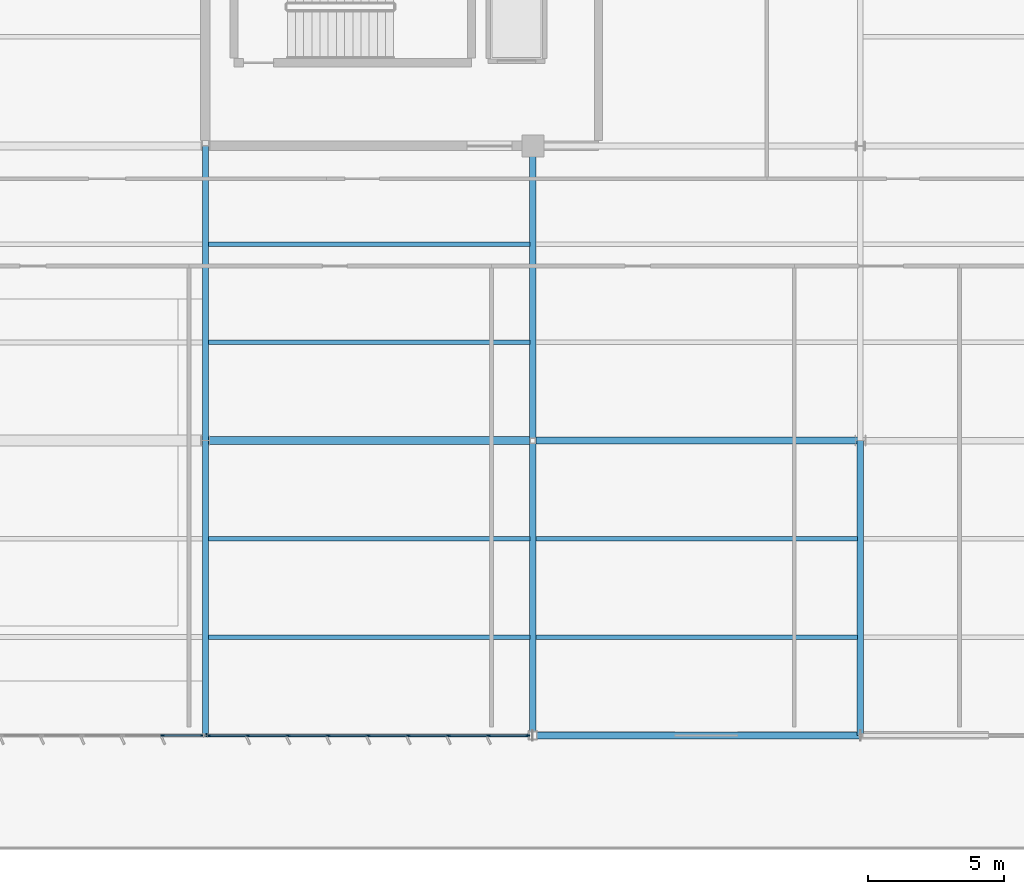
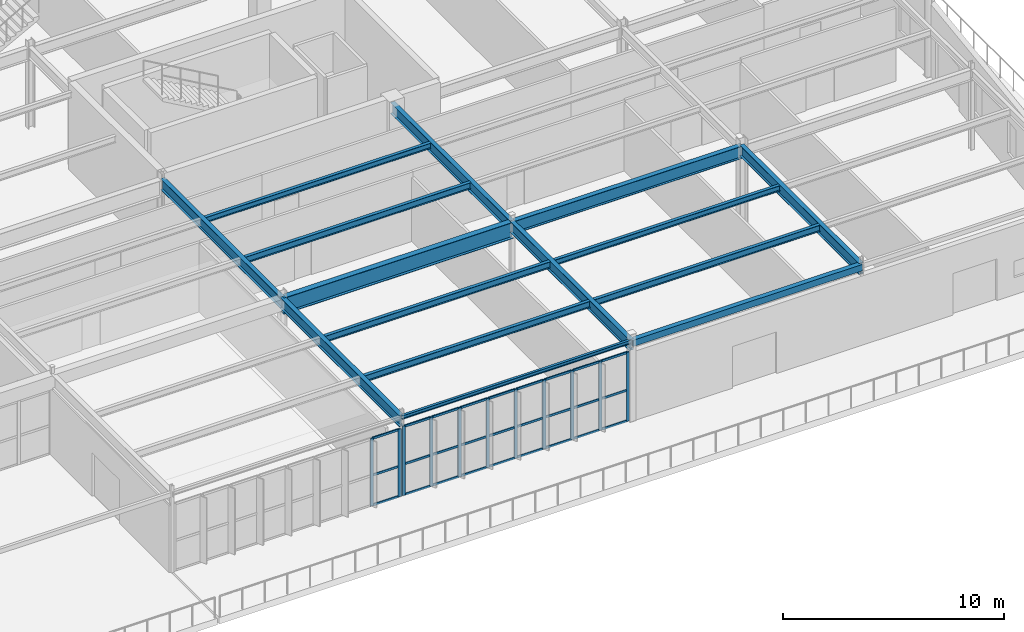
# One storey, part 90 of 199: 38 members, 15 beams, 2 elements without a shape of their own.
"""IFC4 building model written with IfcOpenShell, lengths in metres."""

import ifcopenshell
import ifcopenshell.guid

model = None  # the IFC model being written
_history = None  # IfcOwnerHistory: only IFC2X3 demands one
_inside = {}  # id of a spatial element -> (the spatial element, [elements in it])
_under = {}  # id of a project, library or spatial element -> (it, [spatial elements below it])
_declared = {}  # id of a project -> (the project, [libraries it declares])
_typed = {}  # id of a type object -> (the type object, [elements of that type])
_made_of = {}  # id of a material, layer set ... -> (it, [elements and type objects made of it])


def new_model(schema):
    """Start an empty IFC model of exactly this schema.

    Asked for "IFC4X3", IfcOpenShell would pick the latest addendum, in which some entities
    have other attributes; the version numbers below select the first issue.
    IFC2X3 requires an IfcOwnerHistory on every rooted entity: one is made here for all.
    """
    global model, _history
    if schema == "IFC4X3":
        model = ifcopenshell.file(schema_version=(4, 3, 0, 0))
    else:
        model = ifcopenshell.file(schema=schema)
    _inside.clear()
    _under.clear()
    _declared.clear()
    _typed.clear()
    _made_of.clear()
    _history = None
    if model.schema == "IFC2X3":
        org = make("IfcOrganization", Name="unknown")
        user = make(
            "IfcPersonAndOrganization",
            ThePerson=make("IfcPerson", FamilyName="unknown"),
            TheOrganization=org,
        )
        app = make(
            "IfcApplication",
            ApplicationDeveloper=org,
            Version="unknown",
            ApplicationFullName="unknown",
            ApplicationIdentifier="unknown",
        )
        _history = make(
            "IfcOwnerHistory",
            OwningUser=user,
            OwningApplication=app,
            ChangeAction="ADDED",
            CreationDate=0,
        )
    return model


def make(cls, **values):
    """One entity of the class cls with the attributes given. An attribute that is None is left unset."""
    return model.create_entity(
        cls, **{name: value for name, value in values.items() if value is not None}
    )


def rooted(cls, **values):
    """An entity with a GlobalId (a new one), such as an element, a storey or a relation."""
    return make(cls, GlobalId=ifcopenshell.guid.new(), OwnerHistory=_history, **values)


def si_unit(unit_type, name, prefix=None):
    """IfcSIUnit, for example si_unit("LENGTHUNIT", "METRE", prefix="MILLI")."""
    return make("IfcSIUnit", UnitType=unit_type, Prefix=prefix, Name=name)


def assignment(units):
    """IfcUnitAssignment: the units of a project."""
    return None if units is None else make("IfcUnitAssignment", Units=units)


def point(xyz):
    """IfcCartesianPoint."""
    return None if xyz is None else make("IfcCartesianPoint", Coordinates=xyz)


def direction(xyz):
    """IfcDirection."""
    return None if xyz is None else make("IfcDirection", DirectionRatios=xyz)


def frame(location, z_axis=None, x_axis=None):
    """IfcAxis2Placement3D, a coordinate frame: its origin and axes. An axis left out is left unset."""
    return make(
        "IfcAxis2Placement3D",
        Location=point(location),
        Axis=direction(z_axis),
        RefDirection=direction(x_axis),
    )


def frame_2d(location, x_axis=None):
    """IfcAxis2Placement2D, a coordinate frame in the plane: its origin and x axis."""
    return make(
        "IfcAxis2Placement2D", Location=point(location), RefDirection=direction(x_axis)
    )


def origin():
    """The frame at (0, 0, 0) with its axes left unset."""
    return frame((0.0, 0.0, 0.0))


def origin_2d():
    """The frame at (0, 0) in the plane with its x axis left unset."""
    return frame_2d((0.0, 0.0))


def place(relative_to, where):
    """IfcLocalPlacement: puts the frame where relative to a parent placement (None: the world)."""
    return make(
        "IfcLocalPlacement", PlacementRelTo=relative_to, RelativePlacement=where
    )


def context(
    kind, dimensions, precision=None, world=None, true_north=None, identifier=None
):
    """IfcGeometricRepresentationContext, for example the 3D "Model" context."""
    return make(
        "IfcGeometricRepresentationContext",
        ContextIdentifier=identifier,
        ContextType=kind,
        CoordinateSpaceDimension=dimensions,
        Precision=precision,
        WorldCoordinateSystem=world,
        TrueNorth=true_north,
    )


def subcontext(parent, identifier, kind, view, scale=None):
    """IfcGeometricRepresentationSubContext, for example "Body" below "Model"."""
    return make(
        "IfcGeometricRepresentationSubContext",
        ContextIdentifier=identifier,
        ContextType=kind,
        ParentContext=parent,
        TargetScale=scale,
        TargetView=view,
    )


def project(units=None, contexts=None):
    """IfcProject with its units and contexts."""
    return rooted(
        "IfcProject",
        Name="project",
        RepresentationContexts=contexts,
        UnitsInContext=assignment(units),
    )


def spatial(cls, under=None, at=None, **own):
    """A site, building, storey or space (cls), placed at a placement, below another one or the project."""
    s = rooted(cls, ObjectPlacement=at, **own)
    if under is not None:
        _under.setdefault(under.id(), (under, []))[1].append(s)
    return s


def profile(cls, at=None, kind="AREA", **sizes):
    """A parametric profile (cls). Its sizes go by their IFC names, for example OverallWidth=200.0."""
    return make(cls, ProfileType=kind, Position=at, **sizes)


def rectangle(**sizes):
    """IfcRectangleProfileDef."""
    return profile("IfcRectangleProfileDef", **sizes)


def hollow_rectangle(**sizes):
    """IfcRectangleHollowProfileDef."""
    return profile("IfcRectangleHollowProfileDef", **sizes)


def i_section(**sizes):
    """IfcIShapeProfileDef."""
    return profile("IfcIShapeProfileDef", **sizes)


def extrude(swept, where, along, depth):
    """IfcExtrudedAreaSolid: the profile swept, set in the frame where, extruded along a direction by depth."""
    return make(
        "IfcExtrudedAreaSolid",
        SweptArea=swept,
        Position=where,
        ExtrudedDirection=direction(along),
        Depth=depth,
    )


def shape(context_of_items, identifier, shape_type, items):
    """IfcShapeRepresentation: the items that make up one representation, for example the "Body"."""
    return make(
        "IfcShapeRepresentation",
        ContextOfItems=context_of_items,
        RepresentationIdentifier=identifier,
        RepresentationType=shape_type,
        Items=items,
    )


def material(Name=None, Category=None):
    """IfcMaterial."""
    return make("IfcMaterial", Name=Name, Category=Category)


def layer(
    of_material, thickness, ventilated=None, Name=None, Category=None, Priority=None
):
    """IfcMaterialLayer: one layer of a wall or slab, of a material (None: an air gap)."""
    return make(
        "IfcMaterialLayer",
        Material=of_material,
        LayerThickness=thickness,
        IsVentilated=ventilated,
        Name=Name,
        Category=Category,
        Priority=Priority,
    )


def layer_set(layers, Name=None):
    """IfcMaterialLayerSet."""
    return make("IfcMaterialLayerSet", MaterialLayers=layers, LayerSetName=Name)


def material_profile(
    of_material, cross_section, Name=None, Category=None, Priority=None
):
    """IfcMaterialProfile: a cross section and its material."""
    return make(
        "IfcMaterialProfile",
        Name=Name,
        Material=of_material,
        Profile=cross_section,
        Priority=Priority,
        Category=Category,
    )


def profile_set(profiles, Name=None, composite=None):
    """IfcMaterialProfileSet."""
    return make(
        "IfcMaterialProfileSet",
        Name=Name,
        MaterialProfiles=profiles,
        CompositeProfile=composite,
    )


def made_of(thing, what):
    """Note that an element or type object is made of a material, layer set ...; save() writes the relation."""
    if what is not None:
        _made_of.setdefault(what.id(), (what, []))[1].append(thing)
    return thing


def type_object(cls, material=None, **own):
    """A type object (cls), such as IfcWallType, which elements share."""
    return made_of(rooted(cls, **own), material)


def element(
    cls,
    number,
    at=None,
    inside=None,
    cuts=None,
    type_object=None,
    material=None,
    context=None,
    identifier="Body",
    shape_type=None,
    held_by="IfcProductDefinitionShape",
    body=None,
    shapes=None,
    **own,
):
    """One element of the class cls, such as IfcWall. Its Tag is "e" and its number.

    at: its placement. inside: the storey or other place that contains it. cuts: it is an
    opening in that element (IfcRelVoidsElement). A single representation is given by context,
    identifier, shape_type and body (its items); several are given by shapes. held_by: the class
    of the entity that holds the representations. save() writes the other relations.
    """
    e = rooted(cls, Tag="e%d" % number, ObjectPlacement=at, **own)
    if body is not None:
        shapes = [shape(context, identifier, shape_type, body)]
    if shapes is not None:
        e.Representation = make(held_by, Representations=shapes)
    if inside is not None:
        _inside.setdefault(inside.id(), (inside, []))[1].append(e)
    if cuts is not None:
        rooted(
            "IfcRelVoidsElement", RelatingBuildingElement=cuts, RelatedOpeningElement=e
        )
    if type_object is not None:
        _typed.setdefault(type_object.id(), (type_object, []))[1].append(e)
    return made_of(e, material)


def aggregate(whole, parts):
    """IfcRelAggregates: a whole, such as a stair, and the parts it consists of."""
    return rooted("IfcRelAggregates", RelatingObject=whole, RelatedObjects=parts)


def save(model, path):
    """Write the relations noted so far, then the file.

    IfcRelAggregates (storeys below a building ...), IfcRelContainedInSpatialStructure (elements
    in a storey), IfcRelDefinesByType, IfcRelAssociatesMaterial and IfcRelDeclares: one each for
    every whole, place, type object, material and project.
    """
    for whole, parts in _under.values():
        aggregate(whole, parts)
    for where, things in _inside.values():
        rooted(
            "IfcRelContainedInSpatialStructure",
            RelatedElements=things,
            RelatingStructure=where,
        )
    for kind, things in _typed.values():
        rooted("IfcRelDefinesByType", RelatedObjects=things, RelatingType=kind)
    for what, things in _made_of.values():
        rooted("IfcRelAssociatesMaterial", RelatedObjects=things, RelatingMaterial=what)
    for by, libraries in _declared.values():
        rooted("IfcRelDeclares", RelatingContext=by, RelatedDefinitions=libraries)
    model.write(path)


model = new_model("IFC4")

# Units and contexts
model_context = context("Model", 3, precision=1e-05, world=origin(), true_north=direction((0.0, 1.0)))
body_context = subcontext(model_context, "Body", "Model", "MODEL_VIEW")
ifc_project = project(units=[si_unit("LENGTHUNIT", "METRE"), si_unit("AREAUNIT", "SQUARE_METRE"), si_unit("VOLUMEUNIT", "CUBIC_METRE"), si_unit("PLANEANGLEUNIT", "RADIAN"), si_unit("MASSUNIT", "GRAM", prefix="KILO")], contexts=[model_context])

# Site, building, storey
site_placement = place(None, origin())
site = spatial("IfcSite", under=ifc_project, at=site_placement, CompositionType="ELEMENT")
building_placement = place(site_placement, origin())
building = spatial("IfcBuilding", under=site, at=building_placement, Name="Tarnwether General Hospital", CompositionType="ELEMENT")
storey_placement = place(building_placement, origin())
storey = spatial("IfcBuildingStorey", under=building, at=storey_placement, Name="L00", CompositionType="ELEMENT", Elevation=0.0)

# Beams
ifc_material_1 = material(Name="Steel Grade 350 (350 MPa)", Category="steel")
ifc_material_profile_1 = material_profile(ifc_material_1, i_section(OverallWidth=0.300048828125, OverallDepth=0.89990234375, WebThickness=0.011962890625, FlangeThickness=0.02001953125, at=origin_2d()), Name="900WB175")
ifc_profile_set_1 = profile_set([ifc_material_profile_1], Name="Steel Grade 350 (350 MPa)")
beam_type_1 = type_object("IfcBeamType", Name="BM-G01", PredefinedType="BEAM", material=ifc_profile_set_1)
beam_1_placement = place(storey_placement, frame((156.0, 10.800048828125, 3.9951171875), z_axis=(1.0, 0.0, 0.0), x_axis=(0.0, 1.0, 0.0)))
element("IfcBeam", 1, at=beam_1_placement, inside=storey, type_object=beam_type_1, Name="Primary Girder BMG-L00-15600_1080-16800_1080-0807", PredefinedType="BEAM", context=body_context, shape_type="SweptSolid", body=[
    extrude(i_section(OverallWidth=0.300048828125, OverallDepth=0.89990234375, WebThickness=0.011962890625, FlangeThickness=0.02001953125, at=origin_2d()), origin(), (0.0, 0.0, 1.0), 12.0),
])
ifc_material_2 = material(Name="Steel Grade 350 (350 MPa)", Category="steel")
ifc_material_profile_2 = material_profile(ifc_material_2, i_section(OverallWidth=0.25, OverallDepth=0.69189453125, WebThickness=0.009033203125, FlangeThickness=0.01611328125, at=origin_2d()), Name="700WB115")
ifc_profile_set_2 = profile_set([ifc_material_profile_2], Name="Steel Grade 350 (350 MPa)")
beam_type_2 = type_object("IfcBeamType", Name="BM-G02", PredefinedType="BEAM", material=ifc_profile_set_2)
beam_2_placement = place(storey_placement, frame((168.0, 10.800048828125, 4.09912109375), z_axis=(1.0, 0.0, 0.0), x_axis=(0.0, 1.0, 0.0)))
element("IfcBeam", 2, at=beam_2_placement, inside=storey, type_object=beam_type_2, Name="Primary Girder BMG-L00-16800_1080-18000_1080-0823", PredefinedType="BEAM", context=body_context, shape_type="SweptSolid", body=[
    extrude(i_section(OverallWidth=0.25, OverallDepth=0.69189453125, WebThickness=0.009033203125, FlangeThickness=0.01611328125, at=origin_2d()), origin(), (0.0, 0.0, 1.0), 12.0),
])
ifc_material_3 = material(Name="Steel Grade 350 (350 MPa)", Category="steel")
ifc_material_profile_3 = material_profile(ifc_material_3, i_section(OverallWidth=0.22900390625, OverallDepth=0.612060546875, WebThickness=0.011962890625, FlangeThickness=0.01953125, at=origin_2d()), Name="610UB125")
ifc_profile_set_3 = profile_set([ifc_material_profile_3], Name="Steel Grade 350 (350 MPa)")
beam_type_3 = type_object("IfcBeamType", Name="BM-G03", PredefinedType="BEAM", material=ifc_profile_set_3)
beam_3_placement = place(storey_placement, frame((156.0, 0.0, 4.138916015625), z_axis=(0.0, 1.0, 0.0), x_axis=(-1.0, 0.0, 0.0)))
element("IfcBeam", 3, at=beam_3_placement, inside=storey, type_object=beam_type_3, Name="Primary Girder BMG-L00-15600_0-15600_1080-0806", PredefinedType="BEAM", context=body_context, shape_type="SweptSolid", body=[
    extrude(i_section(OverallWidth=0.22900390625, OverallDepth=0.612060546875, WebThickness=0.011962890625, FlangeThickness=0.01953125, at=origin_2d()), origin(), (0.0, 0.0, 1.0), 10.800048828125),
])
ifc_material_4 = material(Name="Steel Grade 350 (350 MPa)", Category="steel")
ifc_material_profile_4 = material_profile(ifc_material_4, i_section(OverallWidth=0.22802734375, OverallDepth=0.60693359375, WebThickness=0.01123046875, FlangeThickness=0.017333984375, at=origin_2d()), Name="610UB113")
ifc_profile_set_4 = profile_set([ifc_material_profile_4], Name="Steel Grade 350 (350 MPa)")
beam_type_4 = type_object("IfcBeamType", Name="BM-G04", PredefinedType="BEAM", material=ifc_profile_set_4)
for number, where, z_axis, x_axis, name in (
    (4, (156.0, 10.800048828125, 4.1416015625), (0.0, 1.0, 0.0), (-1.0, 0.0, 0.0), "Primary Girder BMG-L00-15600_1080-15600_2160-0808"),
    (5, (168.0, 0.0, 4.1416015625), (0.0, 1.0, 0.0), (-1.0, 0.0, 0.0), "Primary Girder BMG-L00-16800_0-16800_1080-0822"),
):
    element("IfcBeam", number, at=place(storey_placement, frame(where, z_axis=z_axis, x_axis=x_axis)), inside=storey, type_object=beam_type_4, Name=name, PredefinedType="BEAM", context=body_context, shape_type="SweptSolid", body=[
        extrude(i_section(OverallWidth=0.22802734375, OverallDepth=0.60693359375, WebThickness=0.01123046875, FlangeThickness=0.017333984375, at=origin_2d()), origin(), (0.0, 0.0, 1.0), 10.800048828125),
    ])
ifc_material_5 = material(Name="Steel Grade 350 (350 MPa)", Category="steel")
ifc_material_profile_5 = material_profile(ifc_material_5, i_section(OverallWidth=0.22802734375, OverallDepth=0.60205078125, WebThickness=0.010498046875, FlangeThickness=0.014892578125, at=origin_2d()), Name="610UB101")
ifc_profile_set_5 = profile_set([ifc_material_profile_5], Name="Steel Grade 350 (350 MPa)")
beam_type_5 = type_object("IfcBeamType", Name="BM-G05", PredefinedType="BEAM", material=ifc_profile_set_5)
for number, where, z_axis, x_axis, name in (
    (6, (168.0, 10.800048828125, 4.14404296875), (0.0, 1.0, 0.0), (-1.0, 0.0, 0.0), "Primary Girder BMG-L00-16800_1080-16800_2160-0824"),
    (7, (180.0, 0.0, 4.14404296875), (0.0, 1.0, 0.0), (-1.0, 0.0, 0.0), "Primary Girder BMG-L00-18000_0-18000_1080-0838"),
):
    element("IfcBeam", number, at=place(storey_placement, frame(where, z_axis=z_axis, x_axis=x_axis)), inside=storey, type_object=beam_type_5, Name=name, PredefinedType="BEAM", context=body_context, shape_type="SweptSolid", body=[
        extrude(i_section(OverallWidth=0.22802734375, OverallDepth=0.60205078125, WebThickness=0.010498046875, FlangeThickness=0.014892578125, at=origin_2d()), origin(), (0.0, 0.0, 1.0), 10.800048828125),
    ])
ifc_material_6 = material(Name="Steel Grade 350 (350 MPa)", Category="steel")
ifc_material_profile_6 = material_profile(ifc_material_6, i_section(OverallWidth=0.172119140625, OverallDepth=0.35888671875, WebThickness=0.008056640625, FlangeThickness=0.012939453125, at=origin_2d()), Name="360UB56.7")
ifc_profile_set_6 = profile_set([ifc_material_profile_6], Name="Steel Grade 350 (350 MPa)")
beam_type_6 = type_object("IfcBeamType", Name="BM-J03", PredefinedType="JOIST", material=ifc_profile_set_6)
beam_4_placement = place(storey_placement, frame((156.10791015625, 3.60009765625, 4.265380859375), z_axis=(1.0, 0.0, 0.0), x_axis=(0.0, 1.0, 0.0)))
element("IfcBeam", 8, at=beam_4_placement, inside=storey, type_object=beam_type_6, Name="Composite Floor Joist BMG-L00-15611_360-16789_360-1009", PredefinedType="JOIST", context=body_context, shape_type="SweptSolid", body=[
    extrude(i_section(OverallWidth=0.172119140625, OverallDepth=0.35888671875, WebThickness=0.008056640625, FlangeThickness=0.012939453125, at=origin_2d()), origin(), (0.0, 0.0, 1.0), 11.7841796875),
])
ifc_material_7 = material(Name="Steel Grade 350 (350 MPa)", Category="steel")
ifc_material_profile_7 = material_profile(ifc_material_7, i_section(OverallWidth=0.1708984375, OverallDepth=0.35595703125, WebThickness=0.00732421875, FlangeThickness=0.011474609375, at=origin_2d()), Name="360UB50.7")
ifc_profile_set_7 = profile_set([ifc_material_profile_7], Name="Steel Grade 350 (350 MPa)")
beam_type_7 = type_object("IfcBeamType", Name="BM-J04", PredefinedType="JOIST", material=ifc_profile_set_7)
for number, where, z_axis, x_axis, name in (
    (9, (156.10791015625, 7.199951171875, 4.26708984375), (1.0, 0.0, 0.0), (0.0, 1.0, 0.0), "Composite Floor Joist BMG-L00-15611_720-16789_720-1010"),
    (10, (156.10791015625, 14.39990234375, 4.26708984375), (1.0, 0.0, 0.0), (0.0, 1.0, 0.0), "Composite Floor Joist BMG-L00-15611_1440-16789_1440-1011"),
    (11, (168.10791015625, 3.60009765625, 4.26708984375), (1.0, 0.0, 0.0), (0.0, 1.0, 0.0), "Composite Floor Joist BMG-L00-16811_360-17989_360-1017"),
):
    element("IfcBeam", number, at=place(storey_placement, frame(where, z_axis=z_axis, x_axis=x_axis)), inside=storey, type_object=beam_type_7, Name=name, PredefinedType="JOIST", context=body_context, shape_type="SweptSolid", body=[
        extrude(i_section(OverallWidth=0.1708984375, OverallDepth=0.35595703125, WebThickness=0.00732421875, FlangeThickness=0.011474609375, at=origin_2d()), origin(), (0.0, 0.0, 1.0), 11.7841796875),
    ])
ifc_material_8 = material(Name="Steel Grade 350 (350 MPa)", Category="steel")
ifc_material_profile_8 = material_profile(ifc_material_8, i_section(OverallWidth=0.166015625, OverallDepth=0.306884765625, WebThickness=0.006591796875, FlangeThickness=0.01171875, at=origin_2d()), Name="310UB46.2")
ifc_profile_set_8 = profile_set([ifc_material_profile_8], Name="Steel Grade 350 (350 MPa)")
beam_type_8 = type_object("IfcBeamType", Name="BM-J05", PredefinedType="JOIST", material=ifc_profile_set_8)
for number, where, z_axis, x_axis, name in (
    (12, (156.10791015625, 18.0, 4.29150390625), (1.0, 0.0, 0.0), (0.0, 1.0, 0.0), "Composite Floor Joist BMG-L00-15611_1800-16789_1800-1012"),
    (13, (168.10791015625, 7.199951171875, 4.29150390625), (1.0, 0.0, 0.0), (0.0, 1.0, 0.0), "Composite Floor Joist BMG-L00-16811_720-17989_720-1018"),
):
    element("IfcBeam", number, at=place(storey_placement, frame(where, z_axis=z_axis, x_axis=x_axis)), inside=storey, type_object=beam_type_8, Name=name, PredefinedType="JOIST", context=body_context, shape_type="SweptSolid", body=[
        extrude(i_section(OverallWidth=0.166015625, OverallDepth=0.306884765625, WebThickness=0.006591796875, FlangeThickness=0.01171875, at=origin_2d()), origin(), (0.0, 0.0, 1.0), 11.7841796875),
    ])
ifc_material_9 = material(Name="Steel Grade 350 (350 MPa)", Category="steel")
ifc_material_profile_9 = material_profile(ifc_material_9, i_section(OverallWidth=0.133056640625, OverallDepth=0.201904296875, WebThickness=0.0048828125, FlangeThickness=0.007080078125, at=origin_2d()), Name="200UB22.3")
ifc_profile_set_9 = profile_set([ifc_material_profile_9], Name="Steel Grade 350 (350 MPa)")
beam_type_9 = type_object("IfcBeamType", Name="BM-SP6", PredefinedType="SPANDREL", material=ifc_profile_set_9)
beam_5_placement = place(storey_placement, frame((156.0, 0.0, 4.343994140625), z_axis=(1.0, 0.0, 0.0), x_axis=(0.0, 1.0, 0.0)))
element("IfcBeam", 14, at=beam_5_placement, inside=storey, type_object=beam_type_9, Name="Primary Girder BMG-L00-15600_0-16800_0-0805", PredefinedType="SPANDREL", context=body_context, shape_type="SweptSolid", body=[
    extrude(i_section(OverallWidth=0.133056640625, OverallDepth=0.201904296875, WebThickness=0.0048828125, FlangeThickness=0.007080078125, at=origin_2d()), origin(), (0.0, 0.0, 1.0), 12.0),
])
ifc_material_10 = material(Name="Steel Grade C350L0 (350 MPa)", Category="steel")
ifc_material_profile_10 = material_profile(ifc_material_10, hollow_rectangle(XDim=0.25, YDim=0.35009765625, WallThickness=0.012451171875, at=origin_2d()), Name="RHS350x250x12.5")
ifc_profile_set_10 = profile_set([ifc_material_profile_10], Name="Steel Grade C350L0 (350 MPa)")
beam_type_10 = type_object("IfcBeamType", Name="BM-SP7", PredefinedType="SPANDREL", material=ifc_profile_set_10)
beam_6_placement = place(storey_placement, frame((168.0, 0.0, 4.27001953125), z_axis=(1.0, 0.0, 0.0), x_axis=(0.0, 1.0, 0.0)))
element("IfcBeam", 15, at=beam_6_placement, inside=storey, type_object=beam_type_10, Name="Primary Girder BMG-L00-16800_0-18000_0-0821", PredefinedType="SPANDREL", context=body_context, shape_type="SweptSolid", body=[
    extrude(hollow_rectangle(XDim=0.25, YDim=0.35009765625, WallThickness=0.012451171875, at=origin_2d()), origin(), (0.0, 0.0, 1.0), 12.0),
])

# Curtain wall, members
ifc_material_11 = material(Name="Anodised aluminium", Category="aluminium")
ifc_layer = layer(ifc_material_11, 0.159912109375)
ifc_layer_set = layer_set([ifc_layer], Name="Anodised aluminium")
curtain_wall_type = type_object("IfcCurtainWallType", Name="CW-18", PredefinedType="NOTDEFINED", material=ifc_layer_set)
curtain_wall_1_placement = place(storey_placement, origin())
curtain_wall_1 = element("IfcCurtainWall", 16, at=curtain_wall_1_placement, inside=storey, type_object=curtain_wall_type, Name="Curtain Wall CWG-L00-1678_0-0284", PredefinedType="NOTDEFINED")
ifc_material_12 = material(Name="Anodised aluminium", Category="aluminium")
ifc_material_profile_11 = material_profile(ifc_material_12, rectangle(XDim=0.06005859375, YDim=0.159912109375, at=origin_2d()), Name="ALU-MUL-60x160")
ifc_profile_set_11 = profile_set([ifc_material_profile_11], Name="Anodised aluminium")
member_type_1 = type_object("IfcMemberType", Name="CW-ML1", PredefinedType="MULLION", material=ifc_profile_set_11)
member_1_placement = place(storey_placement, frame((167.81201171875, 0.0, 0.0), z_axis=(0.0, 0.0, 1.0), x_axis=(0.0, -1.0, 0.0)))
member_1 = element("IfcMember", 17, at=member_1_placement, type_object=member_type_1, Name="CW-18 mullion 1", PredefinedType="MULLION", context=body_context, shape_type="SweptSolid", body=[
    extrude(rectangle(XDim=0.06005859375, YDim=0.159912109375, at=origin_2d()), origin(), (0.0, 0.0, 1.0), 3.818115234375),
])
member_2_placement = place(storey_placement, frame((166.372314453125, 0.0, 0.0), z_axis=(0.0, 0.0, 1.0), x_axis=(0.0, -1.0, 0.0)))
member_2 = element("IfcMember", 18, at=member_2_placement, type_object=member_type_1, Name="CW-18 mullion 2", PredefinedType="MULLION", context=body_context, shape_type="SweptSolid", body=[
    extrude(rectangle(XDim=0.06005859375, YDim=0.159912109375, at=origin_2d()), origin(), (0.0, 0.0, 1.0), 3.818115234375),
])
member_3_placement = place(storey_placement, frame((164.902587890625, 0.0, 0.0), z_axis=(0.0, 0.0, 1.0), x_axis=(0.0, -1.0, 0.0)))
member_3 = element("IfcMember", 19, at=member_3_placement, type_object=member_type_1, Name="CW-18 mullion 3", PredefinedType="MULLION", context=body_context, shape_type="SweptSolid", body=[
    extrude(rectangle(XDim=0.06005859375, YDim=0.159912109375, at=origin_2d()), origin(), (0.0, 0.0, 1.0), 3.818115234375),
])
member_4_placement = place(storey_placement, frame((163.432861328125, 0.0, 0.0), z_axis=(0.0, 0.0, 1.0), x_axis=(0.0, -1.0, 0.0)))
member_4 = element("IfcMember", 20, at=member_4_placement, type_object=member_type_1, Name="CW-18 mullion 4", PredefinedType="MULLION", context=body_context, shape_type="SweptSolid", body=[
    extrude(rectangle(XDim=0.06005859375, YDim=0.159912109375, at=origin_2d()), origin(), (0.0, 0.0, 1.0), 3.818115234375),
])
member_5_placement = place(storey_placement, frame((161.962890625, 0.0, 0.0), z_axis=(0.0, 0.0, 1.0), x_axis=(0.0, -1.0, 0.0)))
member_5 = element("IfcMember", 21, at=member_5_placement, type_object=member_type_1, Name="CW-18 mullion 5", PredefinedType="MULLION", context=body_context, shape_type="SweptSolid", body=[
    extrude(rectangle(XDim=0.06005859375, YDim=0.159912109375, at=origin_2d()), origin(), (0.0, 0.0, 1.0), 3.818115234375),
])
member_6_placement = place(storey_placement, frame((160.4931640625, 0.0, 0.0), z_axis=(0.0, 0.0, 1.0), x_axis=(0.0, -1.0, 0.0)))
member_6 = element("IfcMember", 22, at=member_6_placement, type_object=member_type_1, Name="CW-18 mullion 6", PredefinedType="MULLION", context=body_context, shape_type="SweptSolid", body=[
    extrude(rectangle(XDim=0.06005859375, YDim=0.159912109375, at=origin_2d()), origin(), (0.0, 0.0, 1.0), 3.818115234375),
])
member_7_placement = place(storey_placement, frame((159.0234375, 0.0, 0.0), z_axis=(0.0, 0.0, 1.0), x_axis=(0.0, -1.0, 0.0)))
member_7 = element("IfcMember", 23, at=member_7_placement, type_object=member_type_1, Name="CW-18 mullion 7", PredefinedType="MULLION", context=body_context, shape_type="SweptSolid", body=[
    extrude(rectangle(XDim=0.06005859375, YDim=0.159912109375, at=origin_2d()), origin(), (0.0, 0.0, 1.0), 3.818115234375),
])
member_8_placement = place(storey_placement, frame((157.5537109375, 0.0, 0.0), z_axis=(0.0, 0.0, 1.0), x_axis=(0.0, -1.0, 0.0)))
member_8 = element("IfcMember", 24, at=member_8_placement, type_object=member_type_1, Name="CW-18 mullion 8", PredefinedType="MULLION", context=body_context, shape_type="SweptSolid", body=[
    extrude(rectangle(XDim=0.06005859375, YDim=0.159912109375, at=origin_2d()), origin(), (0.0, 0.0, 1.0), 3.818115234375),
])
member_9_placement = place(storey_placement, frame((156.114013671875, 0.0, 0.0), z_axis=(0.0, 0.0, 1.0), x_axis=(0.0, -1.0, 0.0)))
member_9 = element("IfcMember", 25, at=member_9_placement, type_object=member_type_1, Name="CW-18 mullion 9", PredefinedType="MULLION", context=body_context, shape_type="SweptSolid", body=[
    extrude(rectangle(XDim=0.06005859375, YDim=0.159912109375, at=origin_2d()), origin(), (0.0, 0.0, 1.0), 3.818115234375),
])

curtain_wall_2_placement = place(storey_placement, origin())
curtain_wall_2 = element("IfcCurtainWall", 26, at=curtain_wall_2_placement, inside=storey, type_object=curtain_wall_type, Name="Curtain Wall CWG-L00-1559_0-0285", PredefinedType="NOTDEFINED")
member_10_placement = place(storey_placement, frame((155.885986328125, 0.0, 0.0), z_axis=(0.0, 0.0, 1.0), x_axis=(0.0, -1.0, 0.0)))
member_10 = element("IfcMember", 27, at=member_10_placement, type_object=member_type_1, Name="CW-18 mullion 1", PredefinedType="MULLION", context=body_context, shape_type="SweptSolid", body=[
    extrude(rectangle(XDim=0.06005859375, YDim=0.159912109375, at=origin_2d()), origin(), (0.0, 0.0, 1.0), 3.738037109375),
])
member_11_placement = place(storey_placement, frame((154.43701171875, 0.0, 0.0), z_axis=(0.0, 0.0, 1.0), x_axis=(0.0, -1.0, 0.0)))
member_11 = element("IfcMember", 28, at=member_11_placement, type_object=member_type_1, Name="CW-18 mullion 2", PredefinedType="MULLION", context=body_context, shape_type="SweptSolid", body=[
    extrude(rectangle(XDim=0.06005859375, YDim=0.159912109375, at=origin_2d()), origin(), (0.0, 0.0, 1.0), 3.738037109375),
])

# Member
ifc_material_13 = material(Name="Anodised aluminium", Category="aluminium")
ifc_material_profile_12 = material_profile(ifc_material_13, rectangle(XDim=0.06005859375, YDim=0.1201171875, at=origin_2d()), Name="ALU-TRN-60x120")
ifc_profile_set_12 = profile_set([ifc_material_profile_12], Name="Anodised aluminium")
member_type_2 = type_object("IfcMemberType", Name="CW-TR1", PredefinedType="USERDEFINED", material=ifc_profile_set_12)
member_12_placement = place(storey_placement, frame((167.781982421875, 0.0, 0.030029296875), z_axis=(-1.0, 0.0, 0.0), x_axis=(0.0, -1.0, 0.0)))
member_12 = element("IfcMember", 29, at=member_12_placement, type_object=member_type_2, Name="CW-18 transom 1.1", ObjectType="TRANSOM", PredefinedType="USERDEFINED", context=body_context, shape_type="SweptSolid", body=[
    extrude(rectangle(XDim=0.06005859375, YDim=0.1201171875, at=origin_2d()), origin(), (0.0, 0.0, 1.0), 1.379638671875),
])

member_13_placement = place(storey_placement, frame((167.781982421875, 0.0, 1.718017578125), z_axis=(-1.0, 0.0, 0.0), x_axis=(0.0, -1.0, 0.0)))
member_13 = element("IfcMember", 30, at=member_13_placement, type_object=member_type_2, Name="CW-18 transom 1.2", ObjectType="TRANSOM", PredefinedType="USERDEFINED", context=body_context, shape_type="SweptSolid", body=[
    extrude(rectangle(XDim=0.06005859375, YDim=0.1201171875, at=origin_2d()), origin(), (0.0, 0.0, 1.0), 1.379638671875),
])

member_14_placement = place(storey_placement, frame((167.781982421875, 0.0, 3.7880859375), z_axis=(-1.0, 0.0, 0.0), x_axis=(0.0, -1.0, 0.0)))
member_14 = element("IfcMember", 31, at=member_14_placement, type_object=member_type_2, Name="CW-18 transom 1.3", ObjectType="TRANSOM", PredefinedType="USERDEFINED", context=body_context, shape_type="SweptSolid", body=[
    extrude(rectangle(XDim=0.06005859375, YDim=0.1201171875, at=origin_2d()), origin(), (0.0, 0.0, 1.0), 1.379638671875),
])

member_15_placement = place(storey_placement, frame((166.34228515625, 0.0, 0.030029296875), z_axis=(-1.0, 0.0, 0.0), x_axis=(0.0, -1.0, 0.0)))
member_15 = element("IfcMember", 32, at=member_15_placement, type_object=member_type_2, Name="CW-18 transom 2.1", ObjectType="TRANSOM", PredefinedType="USERDEFINED", context=body_context, shape_type="SweptSolid", body=[
    extrude(rectangle(XDim=0.06005859375, YDim=0.1201171875, at=origin_2d()), origin(), (0.0, 0.0, 1.0), 1.40966796875),
])

member_16_placement = place(storey_placement, frame((166.34228515625, 0.0, 1.718017578125), z_axis=(-1.0, 0.0, 0.0), x_axis=(0.0, -1.0, 0.0)))
member_16 = element("IfcMember", 33, at=member_16_placement, type_object=member_type_2, Name="CW-18 transom 2.2", ObjectType="TRANSOM", PredefinedType="USERDEFINED", context=body_context, shape_type="SweptSolid", body=[
    extrude(rectangle(XDim=0.06005859375, YDim=0.1201171875, at=origin_2d()), origin(), (0.0, 0.0, 1.0), 1.40966796875),
])

member_17_placement = place(storey_placement, frame((166.34228515625, 0.0, 3.7880859375), z_axis=(-1.0, 0.0, 0.0), x_axis=(0.0, -1.0, 0.0)))
member_17 = element("IfcMember", 34, at=member_17_placement, type_object=member_type_2, Name="CW-18 transom 2.3", ObjectType="TRANSOM", PredefinedType="USERDEFINED", context=body_context, shape_type="SweptSolid", body=[
    extrude(rectangle(XDim=0.06005859375, YDim=0.1201171875, at=origin_2d()), origin(), (0.0, 0.0, 1.0), 1.40966796875),
])

member_18_placement = place(storey_placement, frame((164.87255859375, 0.0, 0.030029296875), z_axis=(-1.0, 0.0, 0.0), x_axis=(0.0, -1.0, 0.0)))
member_18 = element("IfcMember", 35, at=member_18_placement, type_object=member_type_2, Name="CW-18 transom 3.1", ObjectType="TRANSOM", PredefinedType="USERDEFINED", context=body_context, shape_type="SweptSolid", body=[
    extrude(rectangle(XDim=0.06005859375, YDim=0.1201171875, at=origin_2d()), origin(), (0.0, 0.0, 1.0), 1.409912109375),
])

member_19_placement = place(storey_placement, frame((164.87255859375, 0.0, 1.718017578125), z_axis=(-1.0, 0.0, 0.0), x_axis=(0.0, -1.0, 0.0)))
member_19 = element("IfcMember", 36, at=member_19_placement, type_object=member_type_2, Name="CW-18 transom 3.2", ObjectType="TRANSOM", PredefinedType="USERDEFINED", context=body_context, shape_type="SweptSolid", body=[
    extrude(rectangle(XDim=0.06005859375, YDim=0.1201171875, at=origin_2d()), origin(), (0.0, 0.0, 1.0), 1.409912109375),
])

member_20_placement = place(storey_placement, frame((164.87255859375, 0.0, 3.7880859375), z_axis=(-1.0, 0.0, 0.0), x_axis=(0.0, -1.0, 0.0)))
member_20 = element("IfcMember", 37, at=member_20_placement, type_object=member_type_2, Name="CW-18 transom 3.3", ObjectType="TRANSOM", PredefinedType="USERDEFINED", context=body_context, shape_type="SweptSolid", body=[
    extrude(rectangle(XDim=0.06005859375, YDim=0.1201171875, at=origin_2d()), origin(), (0.0, 0.0, 1.0), 1.409912109375),
])

member_21_placement = place(storey_placement, frame((163.40283203125, 0.0, 0.030029296875), z_axis=(-1.0, 0.0, 0.0), x_axis=(0.0, -1.0, 0.0)))
member_21 = element("IfcMember", 38, at=member_21_placement, type_object=member_type_2, Name="CW-18 transom 4.1", ObjectType="TRANSOM", PredefinedType="USERDEFINED", context=body_context, shape_type="SweptSolid", body=[
    extrude(rectangle(XDim=0.06005859375, YDim=0.1201171875, at=origin_2d()), origin(), (0.0, 0.0, 1.0), 1.409912109375),
])

member_22_placement = place(storey_placement, frame((163.40283203125, 0.0, 1.718017578125), z_axis=(-1.0, 0.0, 0.0), x_axis=(0.0, -1.0, 0.0)))
member_22 = element("IfcMember", 39, at=member_22_placement, type_object=member_type_2, Name="CW-18 transom 4.2", ObjectType="TRANSOM", PredefinedType="USERDEFINED", context=body_context, shape_type="SweptSolid", body=[
    extrude(rectangle(XDim=0.06005859375, YDim=0.1201171875, at=origin_2d()), origin(), (0.0, 0.0, 1.0), 1.409912109375),
])

member_23_placement = place(storey_placement, frame((163.40283203125, 0.0, 3.7880859375), z_axis=(-1.0, 0.0, 0.0), x_axis=(0.0, -1.0, 0.0)))
member_23 = element("IfcMember", 40, at=member_23_placement, type_object=member_type_2, Name="CW-18 transom 4.3", ObjectType="TRANSOM", PredefinedType="USERDEFINED", context=body_context, shape_type="SweptSolid", body=[
    extrude(rectangle(XDim=0.06005859375, YDim=0.1201171875, at=origin_2d()), origin(), (0.0, 0.0, 1.0), 1.409912109375),
])

member_24_placement = place(storey_placement, frame((161.93310546875, 0.0, 0.030029296875), z_axis=(-1.0, 0.0, 0.0), x_axis=(0.0, -1.0, 0.0)))
member_24 = element("IfcMember", 41, at=member_24_placement, type_object=member_type_2, Name="CW-18 transom 5.1", ObjectType="TRANSOM", PredefinedType="USERDEFINED", context=body_context, shape_type="SweptSolid", body=[
    extrude(rectangle(XDim=0.06005859375, YDim=0.1201171875, at=origin_2d()), origin(), (0.0, 0.0, 1.0), 1.409912109375),
])

member_25_placement = place(storey_placement, frame((161.93310546875, 0.0, 1.718017578125), z_axis=(-1.0, 0.0, 0.0), x_axis=(0.0, -1.0, 0.0)))
member_25 = element("IfcMember", 42, at=member_25_placement, type_object=member_type_2, Name="CW-18 transom 5.2", ObjectType="TRANSOM", PredefinedType="USERDEFINED", context=body_context, shape_type="SweptSolid", body=[
    extrude(rectangle(XDim=0.06005859375, YDim=0.1201171875, at=origin_2d()), origin(), (0.0, 0.0, 1.0), 1.409912109375),
])

member_26_placement = place(storey_placement, frame((161.93310546875, 0.0, 3.7880859375), z_axis=(-1.0, 0.0, 0.0), x_axis=(0.0, -1.0, 0.0)))
member_26 = element("IfcMember", 43, at=member_26_placement, type_object=member_type_2, Name="CW-18 transom 5.3", ObjectType="TRANSOM", PredefinedType="USERDEFINED", context=body_context, shape_type="SweptSolid", body=[
    extrude(rectangle(XDim=0.06005859375, YDim=0.1201171875, at=origin_2d()), origin(), (0.0, 0.0, 1.0), 1.409912109375),
])

member_27_placement = place(storey_placement, frame((160.463134765625, 0.0, 0.030029296875), z_axis=(-1.0, 0.0, 0.0), x_axis=(0.0, -1.0, 0.0)))
member_27 = element("IfcMember", 44, at=member_27_placement, type_object=member_type_2, Name="CW-18 transom 6.1", ObjectType="TRANSOM", PredefinedType="USERDEFINED", context=body_context, shape_type="SweptSolid", body=[
    extrude(rectangle(XDim=0.06005859375, YDim=0.1201171875, at=origin_2d()), origin(), (0.0, 0.0, 1.0), 1.40966796875),
])

member_28_placement = place(storey_placement, frame((160.463134765625, 0.0, 1.718017578125), z_axis=(-1.0, 0.0, 0.0), x_axis=(0.0, -1.0, 0.0)))
member_28 = element("IfcMember", 45, at=member_28_placement, type_object=member_type_2, Name="CW-18 transom 6.2", ObjectType="TRANSOM", PredefinedType="USERDEFINED", context=body_context, shape_type="SweptSolid", body=[
    extrude(rectangle(XDim=0.06005859375, YDim=0.1201171875, at=origin_2d()), origin(), (0.0, 0.0, 1.0), 1.40966796875),
])

member_29_placement = place(storey_placement, frame((160.463134765625, 0.0, 3.7880859375), z_axis=(-1.0, 0.0, 0.0), x_axis=(0.0, -1.0, 0.0)))
member_29 = element("IfcMember", 46, at=member_29_placement, type_object=member_type_2, Name="CW-18 transom 6.3", ObjectType="TRANSOM", PredefinedType="USERDEFINED", context=body_context, shape_type="SweptSolid", body=[
    extrude(rectangle(XDim=0.06005859375, YDim=0.1201171875, at=origin_2d()), origin(), (0.0, 0.0, 1.0), 1.40966796875),
])

member_30_placement = place(storey_placement, frame((158.993408203125, 0.0, 0.030029296875), z_axis=(-1.0, 0.0, 0.0), x_axis=(0.0, -1.0, 0.0)))
member_30 = element("IfcMember", 47, at=member_30_placement, type_object=member_type_2, Name="CW-18 transom 7.1", ObjectType="TRANSOM", PredefinedType="USERDEFINED", context=body_context, shape_type="SweptSolid", body=[
    extrude(rectangle(XDim=0.06005859375, YDim=0.1201171875, at=origin_2d()), origin(), (0.0, 0.0, 1.0), 1.40966796875),
])

member_31_placement = place(storey_placement, frame((158.993408203125, 0.0, 1.718017578125), z_axis=(-1.0, 0.0, 0.0), x_axis=(0.0, -1.0, 0.0)))
member_31 = element("IfcMember", 48, at=member_31_placement, type_object=member_type_2, Name="CW-18 transom 7.2", ObjectType="TRANSOM", PredefinedType="USERDEFINED", context=body_context, shape_type="SweptSolid", body=[
    extrude(rectangle(XDim=0.06005859375, YDim=0.1201171875, at=origin_2d()), origin(), (0.0, 0.0, 1.0), 1.40966796875),
])

member_32_placement = place(storey_placement, frame((158.993408203125, 0.0, 3.7880859375), z_axis=(-1.0, 0.0, 0.0), x_axis=(0.0, -1.0, 0.0)))
member_32 = element("IfcMember", 49, at=member_32_placement, type_object=member_type_2, Name="CW-18 transom 7.3", ObjectType="TRANSOM", PredefinedType="USERDEFINED", context=body_context, shape_type="SweptSolid", body=[
    extrude(rectangle(XDim=0.06005859375, YDim=0.1201171875, at=origin_2d()), origin(), (0.0, 0.0, 1.0), 1.40966796875),
])

member_33_placement = place(storey_placement, frame((157.523681640625, 0.0, 0.030029296875), z_axis=(-1.0, 0.0, 0.0), x_axis=(0.0, -1.0, 0.0)))
member_33 = element("IfcMember", 50, at=member_33_placement, type_object=member_type_2, Name="CW-18 transom 8.1", ObjectType="TRANSOM", PredefinedType="USERDEFINED", context=body_context, shape_type="SweptSolid", body=[
    extrude(rectangle(XDim=0.06005859375, YDim=0.1201171875, at=origin_2d()), origin(), (0.0, 0.0, 1.0), 1.379638671875),
])

member_34_placement = place(storey_placement, frame((157.523681640625, 0.0, 1.718017578125), z_axis=(-1.0, 0.0, 0.0), x_axis=(0.0, -1.0, 0.0)))
member_34 = element("IfcMember", 51, at=member_34_placement, type_object=member_type_2, Name="CW-18 transom 8.2", ObjectType="TRANSOM", PredefinedType="USERDEFINED", context=body_context, shape_type="SweptSolid", body=[
    extrude(rectangle(XDim=0.06005859375, YDim=0.1201171875, at=origin_2d()), origin(), (0.0, 0.0, 1.0), 1.379638671875),
])

member_35_placement = place(storey_placement, frame((157.523681640625, 0.0, 3.7880859375), z_axis=(-1.0, 0.0, 0.0), x_axis=(0.0, -1.0, 0.0)))
member_35 = element("IfcMember", 52, at=member_35_placement, type_object=member_type_2, Name="CW-18 transom 8.3", ObjectType="TRANSOM", PredefinedType="USERDEFINED", context=body_context, shape_type="SweptSolid", body=[
    extrude(rectangle(XDim=0.06005859375, YDim=0.1201171875, at=origin_2d()), origin(), (0.0, 0.0, 1.0), 1.379638671875),
])

aggregate(curtain_wall_1, [member_1, member_2, member_3, member_4, member_5, member_6, member_7, member_8, member_9, member_12, member_13, member_14, member_15, member_16, member_17, member_18, member_19, member_20, member_21, member_22, member_23, member_24, member_25, member_26, member_27, member_28, member_29, member_30, member_31, member_32, member_33, member_34, member_35])

member_36_placement = place(storey_placement, frame((155.85595703125, 0.0, 0.030029296875), z_axis=(-1.0, 0.0, 0.0), x_axis=(0.0, -1.0, 0.0)))
member_36 = element("IfcMember", 53, at=member_36_placement, type_object=member_type_2, Name="CW-18 transom 1.1", ObjectType="TRANSOM", PredefinedType="USERDEFINED", context=body_context, shape_type="SweptSolid", body=[
    extrude(rectangle(XDim=0.06005859375, YDim=0.1201171875, at=origin_2d()), origin(), (0.0, 0.0, 1.0), 1.388916015625),
])

member_37_placement = place(storey_placement, frame((155.85595703125, 0.0, 1.68212890625), z_axis=(-1.0, 0.0, 0.0), x_axis=(0.0, -1.0, 0.0)))
member_37 = element("IfcMember", 54, at=member_37_placement, type_object=member_type_2, Name="CW-18 transom 1.2", ObjectType="TRANSOM", PredefinedType="USERDEFINED", context=body_context, shape_type="SweptSolid", body=[
    extrude(rectangle(XDim=0.06005859375, YDim=0.1201171875, at=origin_2d()), origin(), (0.0, 0.0, 1.0), 1.388916015625),
])

member_38_placement = place(storey_placement, frame((155.85595703125, 0.0, 3.7080078125), z_axis=(-1.0, 0.0, 0.0), x_axis=(0.0, -1.0, 0.0)))
member_38 = element("IfcMember", 55, at=member_38_placement, type_object=member_type_2, Name="CW-18 transom 1.3", ObjectType="TRANSOM", PredefinedType="USERDEFINED", context=body_context, shape_type="SweptSolid", body=[
    extrude(rectangle(XDim=0.06005859375, YDim=0.1201171875, at=origin_2d()), origin(), (0.0, 0.0, 1.0), 1.388916015625),
])

aggregate(curtain_wall_2, [member_10, member_11, member_36, member_37, member_38])

save(model, "model.ifc")
